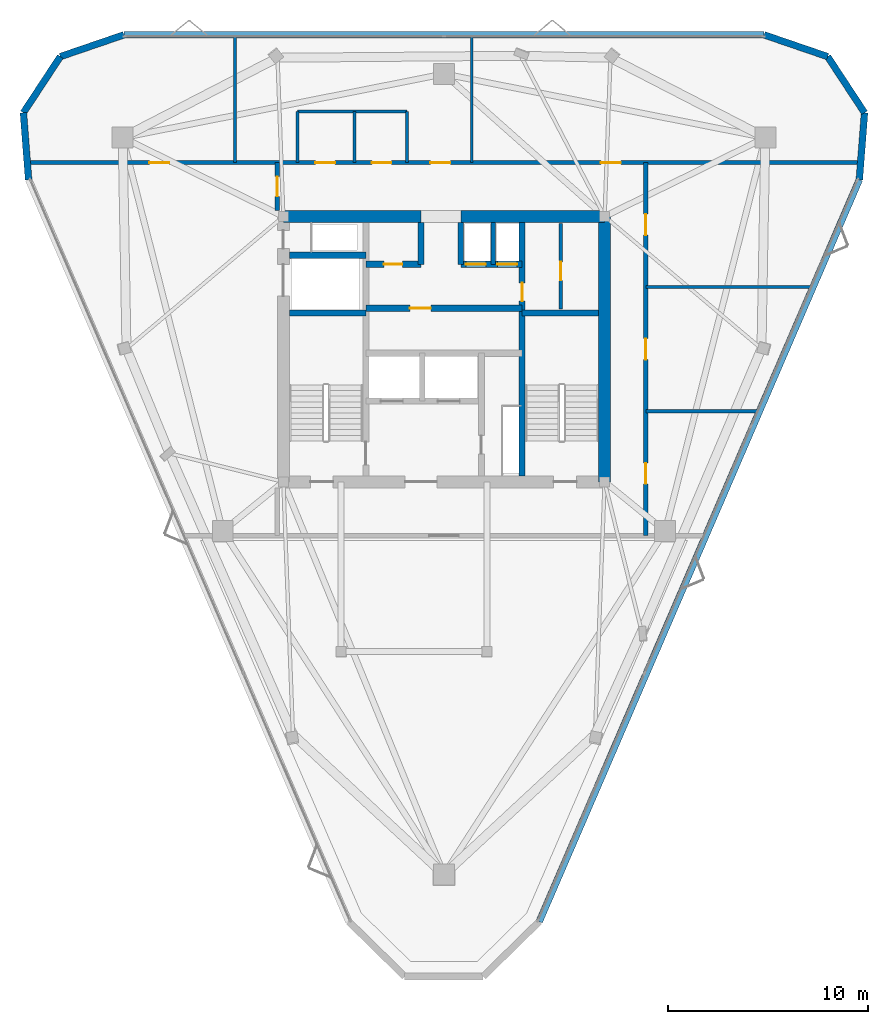
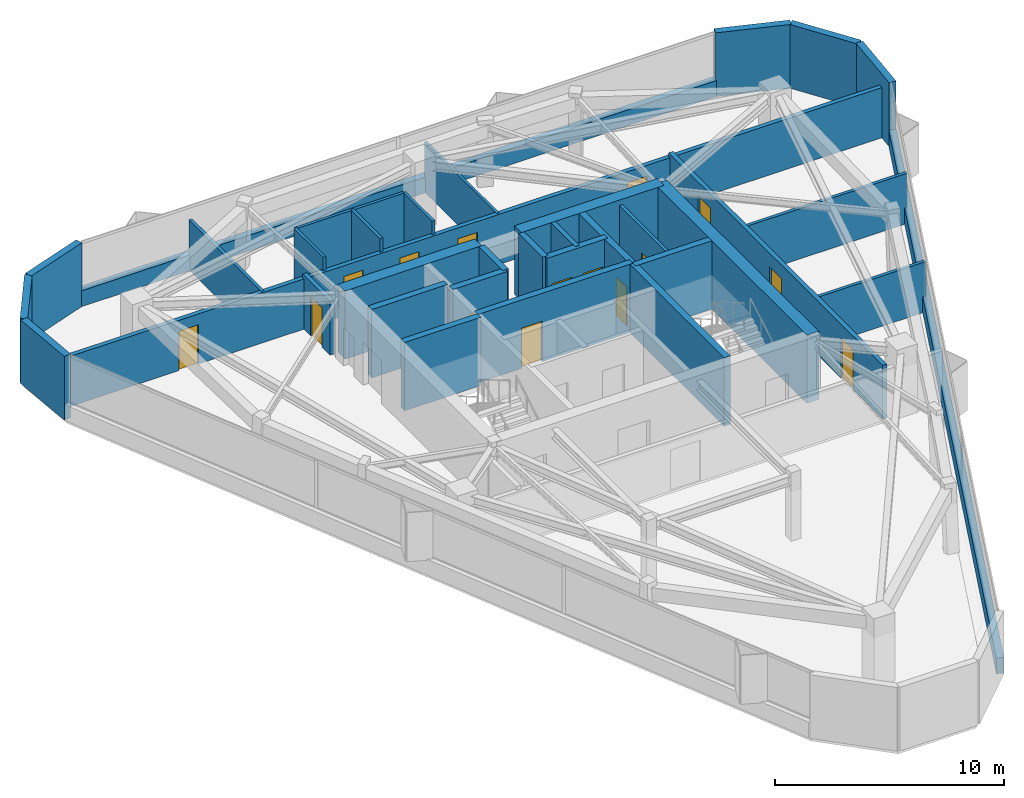
# One storey, part 7 of 9: 33 walls, 15 doors, 15 openings.
"""IFC4 building model written with IfcOpenShell, lengths in metres."""

import ifcopenshell
import ifcopenshell.guid

model = None  # the IFC model being written
_history = None  # IfcOwnerHistory: only IFC2X3 demands one
_inside = {}  # id of a spatial element -> (the spatial element, [elements in it])
_under = {}  # id of a project, library or spatial element -> (it, [spatial elements below it])
_declared = {}  # id of a project -> (the project, [libraries it declares])
_typed = {}  # id of a type object -> (the type object, [elements of that type])
_made_of = {}  # id of a material, layer set ... -> (it, [elements and type objects made of it])


def new_model(schema):
    """Start an empty IFC model of exactly this schema.

    Asked for "IFC4X3", IfcOpenShell would pick the latest addendum, in which some entities
    have other attributes; the version numbers below select the first issue.
    IFC2X3 requires an IfcOwnerHistory on every rooted entity: one is made here for all.
    """
    global model, _history
    if schema == "IFC4X3":
        model = ifcopenshell.file(schema_version=(4, 3, 0, 0))
    else:
        model = ifcopenshell.file(schema=schema)
    _inside.clear()
    _under.clear()
    _declared.clear()
    _typed.clear()
    _made_of.clear()
    _history = None
    if model.schema == "IFC2X3":
        org = make("IfcOrganization", Name="unknown")
        user = make(
            "IfcPersonAndOrganization",
            ThePerson=make("IfcPerson", FamilyName="unknown"),
            TheOrganization=org,
        )
        app = make(
            "IfcApplication",
            ApplicationDeveloper=org,
            Version="unknown",
            ApplicationFullName="unknown",
            ApplicationIdentifier="unknown",
        )
        _history = make(
            "IfcOwnerHistory",
            OwningUser=user,
            OwningApplication=app,
            ChangeAction="ADDED",
            CreationDate=0,
        )
    return model


def make(cls, **values):
    """One entity of the class cls with the attributes given. An attribute that is None is left unset."""
    return model.create_entity(
        cls, **{name: value for name, value in values.items() if value is not None}
    )


def rooted(cls, **values):
    """An entity with a GlobalId (a new one), such as an element, a storey or a relation."""
    return make(cls, GlobalId=ifcopenshell.guid.new(), OwnerHistory=_history, **values)


def si_unit(unit_type, name, prefix=None):
    """IfcSIUnit, for example si_unit("LENGTHUNIT", "METRE", prefix="MILLI")."""
    return make("IfcSIUnit", UnitType=unit_type, Prefix=prefix, Name=name)


def assignment(units):
    """IfcUnitAssignment: the units of a project."""
    return None if units is None else make("IfcUnitAssignment", Units=units)


def point(xyz):
    """IfcCartesianPoint."""
    return None if xyz is None else make("IfcCartesianPoint", Coordinates=xyz)


def direction(xyz):
    """IfcDirection."""
    return None if xyz is None else make("IfcDirection", DirectionRatios=xyz)


def frame(location, z_axis=None, x_axis=None):
    """IfcAxis2Placement3D, a coordinate frame: its origin and axes. An axis left out is left unset."""
    return make(
        "IfcAxis2Placement3D",
        Location=point(location),
        Axis=direction(z_axis),
        RefDirection=direction(x_axis),
    )


def frame_2d(location, x_axis=None):
    """IfcAxis2Placement2D, a coordinate frame in the plane: its origin and x axis."""
    return make(
        "IfcAxis2Placement2D", Location=point(location), RefDirection=direction(x_axis)
    )


def origin():
    """The frame at (0, 0, 0) with its axes left unset."""
    return frame((0.0, 0.0, 0.0))


def place(relative_to, where):
    """IfcLocalPlacement: puts the frame where relative to a parent placement (None: the world)."""
    return make(
        "IfcLocalPlacement", PlacementRelTo=relative_to, RelativePlacement=where
    )


def context(
    kind, dimensions, precision=None, world=None, true_north=None, identifier=None
):
    """IfcGeometricRepresentationContext, for example the 3D "Model" context."""
    return make(
        "IfcGeometricRepresentationContext",
        ContextIdentifier=identifier,
        ContextType=kind,
        CoordinateSpaceDimension=dimensions,
        Precision=precision,
        WorldCoordinateSystem=world,
        TrueNorth=true_north,
    )


def subcontext(parent, identifier, kind, view, scale=None):
    """IfcGeometricRepresentationSubContext, for example "Body" below "Model"."""
    return make(
        "IfcGeometricRepresentationSubContext",
        ContextIdentifier=identifier,
        ContextType=kind,
        ParentContext=parent,
        TargetScale=scale,
        TargetView=view,
    )


def project(units=None, contexts=None):
    """IfcProject with its units and contexts."""
    return rooted(
        "IfcProject",
        Name="project",
        RepresentationContexts=contexts,
        UnitsInContext=assignment(units),
    )


def spatial(cls, under=None, at=None, **own):
    """A site, building, storey or space (cls), placed at a placement, below another one or the project."""
    s = rooted(cls, ObjectPlacement=at, **own)
    if under is not None:
        _under.setdefault(under.id(), (under, []))[1].append(s)
    return s


def profile(cls, at=None, kind="AREA", **sizes):
    """A parametric profile (cls). Its sizes go by their IFC names, for example OverallWidth=200.0."""
    return make(cls, ProfileType=kind, Position=at, **sizes)


def rectangle(**sizes):
    """IfcRectangleProfileDef."""
    return profile("IfcRectangleProfileDef", **sizes)


def extrude(swept, where, along, depth):
    """IfcExtrudedAreaSolid: the profile swept, set in the frame where, extruded along a direction by depth."""
    return make(
        "IfcExtrudedAreaSolid",
        SweptArea=swept,
        Position=where,
        ExtrudedDirection=direction(along),
        Depth=depth,
    )


def shape(context_of_items, identifier, shape_type, items):
    """IfcShapeRepresentation: the items that make up one representation, for example the "Body"."""
    return make(
        "IfcShapeRepresentation",
        ContextOfItems=context_of_items,
        RepresentationIdentifier=identifier,
        RepresentationType=shape_type,
        Items=items,
    )


def material(Name=None, Category=None):
    """IfcMaterial."""
    return make("IfcMaterial", Name=Name, Category=Category)


def layer(
    of_material, thickness, ventilated=None, Name=None, Category=None, Priority=None
):
    """IfcMaterialLayer: one layer of a wall or slab, of a material (None: an air gap)."""
    return make(
        "IfcMaterialLayer",
        Material=of_material,
        LayerThickness=thickness,
        IsVentilated=ventilated,
        Name=Name,
        Category=Category,
        Priority=Priority,
    )


def layer_set(layers, Name=None):
    """IfcMaterialLayerSet."""
    return make("IfcMaterialLayerSet", MaterialLayers=layers, LayerSetName=Name)


def made_of(thing, what):
    """Note that an element or type object is made of a material, layer set ...; save() writes the relation."""
    if what is not None:
        _made_of.setdefault(what.id(), (what, []))[1].append(thing)
    return thing


def type_object(cls, material=None, **own):
    """A type object (cls), such as IfcWallType, which elements share."""
    return made_of(rooted(cls, **own), material)


def element(
    cls,
    number,
    at=None,
    inside=None,
    cuts=None,
    type_object=None,
    material=None,
    context=None,
    identifier="Body",
    shape_type=None,
    held_by="IfcProductDefinitionShape",
    body=None,
    shapes=None,
    **own,
):
    """One element of the class cls, such as IfcWall. Its Tag is "e" and its number.

    at: its placement. inside: the storey or other place that contains it. cuts: it is an
    opening in that element (IfcRelVoidsElement). A single representation is given by context,
    identifier, shape_type and body (its items); several are given by shapes. held_by: the class
    of the entity that holds the representations. save() writes the other relations.
    """
    e = rooted(cls, Tag="e%d" % number, ObjectPlacement=at, **own)
    if body is not None:
        shapes = [shape(context, identifier, shape_type, body)]
    if shapes is not None:
        e.Representation = make(held_by, Representations=shapes)
    if inside is not None:
        _inside.setdefault(inside.id(), (inside, []))[1].append(e)
    if cuts is not None:
        rooted(
            "IfcRelVoidsElement", RelatingBuildingElement=cuts, RelatedOpeningElement=e
        )
    if type_object is not None:
        _typed.setdefault(type_object.id(), (type_object, []))[1].append(e)
    return made_of(e, material)


def fill(opening, filler):
    """IfcRelFillsElement: the door or window that sits in an opening."""
    return rooted(
        "IfcRelFillsElement",
        RelatingOpeningElement=opening,
        RelatedBuildingElement=filler,
    )


def aggregate(whole, parts):
    """IfcRelAggregates: a whole, such as a stair, and the parts it consists of."""
    return rooted("IfcRelAggregates", RelatingObject=whole, RelatedObjects=parts)


def save(model, path):
    """Write the relations noted so far, then the file.

    IfcRelAggregates (storeys below a building ...), IfcRelContainedInSpatialStructure (elements
    in a storey), IfcRelDefinesByType, IfcRelAssociatesMaterial and IfcRelDeclares: one each for
    every whole, place, type object, material and project.
    """
    for whole, parts in _under.values():
        aggregate(whole, parts)
    for where, things in _inside.values():
        rooted(
            "IfcRelContainedInSpatialStructure",
            RelatedElements=things,
            RelatingStructure=where,
        )
    for kind, things in _typed.values():
        rooted("IfcRelDefinesByType", RelatedObjects=things, RelatingType=kind)
    for what, things in _made_of.values():
        rooted("IfcRelAssociatesMaterial", RelatedObjects=things, RelatingMaterial=what)
    for by, libraries in _declared.values():
        rooted("IfcRelDeclares", RelatingContext=by, RelatedDefinitions=libraries)
    model.write(path)


model = new_model("IFC4")

# Units and contexts
model_context = context("Model", 3, precision=1e-05, world=origin(), true_north=direction((0.0, 1.0)))
body_context = subcontext(model_context, "Body", "Model", "MODEL_VIEW")
ifc_project = project(units=[si_unit("LENGTHUNIT", "METRE"), si_unit("AREAUNIT", "SQUARE_METRE"), si_unit("VOLUMEUNIT", "CUBIC_METRE"), si_unit("PLANEANGLEUNIT", "RADIAN"), si_unit("MASSUNIT", "GRAM", prefix="KILO")], contexts=[model_context])

# Site, building, storey
site_placement = place(None, origin())
site = spatial("IfcSite", under=ifc_project, at=site_placement, CompositionType="ELEMENT")
building_placement = place(site_placement, origin())
building = spatial("IfcBuilding", under=site, at=building_placement, Name="Talyreon Biosciences Tower", CompositionType="ELEMENT")
storey_placement = place(building_placement, frame((0.0, 0.0, 291.10009765625)))
storey = spatial("IfcBuildingStorey", under=building, at=storey_placement, Name="L77", CompositionType="ELEMENT", Elevation=291.10009765625)

# Walls
ifc_material_1 = material(Name="Concrete C50/60", Category="concrete")
ifc_layer_1 = layer(ifc_material_1, 0.219970703125)
ifc_layer_set_1 = layer_set([ifc_layer_1], Name="Concrete C50/60")
wall_type_1 = type_object("IfcWallType", Name="CoreShearWall_220", PredefinedType="SHEAR", material=ifc_layer_set_1)
wall_1_placement = place(storey_placement, frame((68.4599609375, 72.25, 0.0), z_axis=(0.0, 0.0, 1.0), x_axis=(0.0, 1.0, 0.0)))
element("IfcWall", 1, at=wall_1_placement, inside=storey, type_object=wall_type_1, Name="L77 Core Shaft Wall SWPHD", PredefinedType="SHEAR", context=body_context, shape_type="SweptSolid", body=[
    extrude(rectangle(XDim=2.10009765625, YDim=0.219970703125, at=frame_2d((1.050048828125, 0.0))), origin(), (0.0, 0.0, 1.0), 3.64990234375),
])
ifc_layer_2 = layer(ifc_material_1, 0.280029296875)
ifc_layer_set_2 = layer_set([ifc_layer_2], Name="Concrete C50/60")
wall_type_2 = type_object("IfcWallType", Name="CoreShearWall_280", PredefinedType="SHEAR", material=ifc_layer_set_2)
for number, where, z_axis, x_axis, name in (
    (2, (64.85009765625, 72.25, 0.0), (0.0, 0.0, 1.0), (0.0, 1.0, 0.0), "L77 Core Shaft Wall SWTHW"),
    (3, (66.85009765625, 72.25, 0.0), (0.0, 0.0, 1.0), (0.0, 1.0, 0.0), "L77 Core Shaft Wall SWTHE"),
):
    element("IfcWall", number, at=place(storey_placement, frame(where, z_axis=z_axis, x_axis=x_axis)), inside=storey, type_object=wall_type_2, Name=name, PredefinedType="SHEAR", context=body_context, shape_type="SweptSolid", body=[
        extrude(rectangle(XDim=2.10009765625, YDim=0.280029296875, at=frame_2d((1.050048828125, 0.0))), origin(), (0.0, 0.0, 1.0), 3.64990234375),
    ])

# Wall, opening, door
ifc_layer_3 = layer(ifc_material_1, 0.320068359375)
ifc_layer_set_3 = layer_set([ifc_layer_3], Name="Concrete C50/60")
wall_type_3 = type_object("IfcWallType", Name="CoreShearWall_320", PredefinedType="SHEAR", material=ifc_layer_set_3)
wall_2_placement = place(storey_placement, frame((69.909912109375, 61.64990234375, 0.0), z_axis=(0.0, 0.0, 1.0), x_axis=(0.0, 1.0, 0.0)))
wall_2 = element("IfcWall", 4, at=wall_2_placement, inside=storey, type_object=wall_type_3, Name="L77 Core Shaft Wall SW2W", PredefinedType="SHEAR", context=body_context, shape_type="SweptSolid", body=[
    extrude(rectangle(XDim=12.7001953125, YDim=0.320068359375, at=frame_2d((6.35009765625, 0.0))), origin(), (0.0, 0.0, 1.0), 3.64990234375),
])
opening_1_placement = place(wall_2_placement, frame((8.75, 0.0, 0.0)))
opening_1 = element("IfcOpeningElement", 5, at=opening_1_placement, cuts=wall_2, Name="Opening DR-L77-CSRV", PredefinedType="OPENING", context=body_context, shape_type="SweptSolid", body=[
    extrude(rectangle(XDim=0.919921875, YDim=2.050048828125, at=frame_2d((0.4599609375, 1.02490234375))), frame((0.0, 0.169921875, 0.0), z_axis=(0.0, -1.0, 0.0), x_axis=(1.0, 0.0, 0.0)), (0.0, 0.0, 1.0), 0.340087890625),
])
ifc_material_2 = material(Name="Painted steel fire-rated riser door", Category="steel")
door_type_1 = type_object("IfcDoorType", Name="RiserPlantAccessDoor_920x2050", OperationType="NOTDEFINED", PredefinedType="DOOR", material=ifc_material_2)
door_1_placement = place(opening_1_placement, origin())
door_1 = element("IfcDoor", 6, at=door_1_placement, inside=storey, type_object=door_type_1, Name="L77 Core Door DR-L77-CSRV", OperationType="SINGLE_SWING_RIGHT", OverallHeight=2.050048828125, OverallWidth=0.919921875, PredefinedType="DOOR", context=body_context, shape_type="SweptSolid", body=[
    extrude(rectangle(XDim=0.919921875, YDim=2.050048828125, at=frame_2d((0.4599609375, 1.02490234375))), frame((0.0, 0.02490234375, 0.0), z_axis=(0.0, -1.0, 0.0), x_axis=(1.0, 0.0, 0.0)), (0.0, 0.0, 1.0), 0.050048828125),
])
fill(opening_1, door_1)

# Walls
for number, where, z_axis, x_axis, name in (
    (7, (58.25, 69.81005859375, 0.0), (0.0, 0.0, 1.0), (1.0, 0.0, 0.0), "L77 Core Shaft Wall SW1N"),
    (8, (69.909912109375, 69.81005859375, 0.0), (0.0, 0.0, 1.0), (1.0, 0.0, 0.0), "L77 Core Shaft Wall SW2N"),
    (9, (58.25, 72.699951171875, 0.0), (0.0, 0.0, 1.0), (1.0, 0.0, 0.0), "L77 Core Shaft Wall SWGLN"),
):
    element("IfcWall", number, at=place(storey_placement, frame(where, z_axis=z_axis, x_axis=x_axis)), inside=storey, type_object=wall_type_3, Name=name, PredefinedType="SHEAR", context=body_context, shape_type="SweptSolid", body=[
        extrude(rectangle(XDim=3.840087890625, YDim=0.320068359375, at=frame_2d((1.919921875, 0.0))), origin(), (0.0, 0.0, 1.0), 3.64990234375),
    ])

# Wall, opening, door
wall_3_placement = place(storey_placement, frame((62.090087890625, 70.050048828125, 0.0), z_axis=(0.0, 0.0, 1.0), x_axis=(1.0, 0.0, 0.0)))
wall_3 = element("IfcWall", 10, at=wall_3_placement, inside=storey, type_object=wall_type_3, Name="L77 Core Shaft Wall SWSPN", PredefinedType="SHEAR", context=body_context, shape_type="SweptSolid", body=[
    extrude(rectangle(XDim=7.81982421875, YDim=0.320068359375, at=frame_2d((3.909912109375, 0.0))), origin(), (0.0, 0.0, 1.0), 3.64990234375),
])
opening_2_placement = place(wall_3_placement, frame((2.199951171875, 0.0, 0.0)))
opening_2 = element("IfcOpeningElement", 11, at=opening_2_placement, cuts=wall_3, Name="Opening DR-L77-PLPMFREE", PredefinedType="OPENING", context=body_context, shape_type="SweptSolid", body=[
    extrude(rectangle(XDim=1.050048828125, YDim=2.14990234375, at=frame_2d((0.52490234375, 1.074951171875))), frame((0.0, 0.169921875, 0.0), z_axis=(0.0, -1.0, 0.0), x_axis=(1.0, 0.0, 0.0)), (0.0, 0.0, 1.0), 0.340087890625),
])
ifc_material_3 = material(Name="Acoustic timber-core laboratory door", Category="wood")
door_type_2 = type_object("IfcDoorType", Name="DryLabSingleDoor_1050x2150", OperationType="NOTDEFINED", PredefinedType="DOOR", material=ifc_material_3)
door_2_placement = place(opening_2_placement, origin())
door_2 = element("IfcDoor", 12, at=door_2_placement, inside=storey, type_object=door_type_2, Name="L77 Core Door DR-L77-PLPMFREE", OperationType="SINGLE_SWING_LEFT", OverallHeight=2.14990234375, OverallWidth=1.050048828125, PredefinedType="DOOR", context=body_context, shape_type="SweptSolid", body=[
    extrude(rectangle(XDim=1.050048828125, YDim=2.14990234375, at=frame_2d((0.52490234375, 1.074951171875))), frame((0.0, 0.02490234375, 0.0), z_axis=(0.0, -1.0, 0.0), x_axis=(1.0, 0.0, 0.0)), (0.0, 0.0, 1.0), 0.050048828125),
])
fill(opening_2, door_2)

wall_4_placement = place(storey_placement, frame((62.090087890625, 72.25, 0.0), z_axis=(0.0, 0.0, 1.0), x_axis=(1.0, 0.0, 0.0)))
wall_4 = element("IfcWall", 13, at=wall_4_placement, inside=storey, type_object=wall_type_3, Name="L77 Core Shaft Wall SWNPW", PredefinedType="SHEAR", context=body_context, shape_type="SweptSolid", body=[
    extrude(rectangle(XDim=2.760009765625, YDim=0.320068359375, at=frame_2d((1.3798828125, 0.0))), origin(), (0.0, 0.0, 1.0), 3.64990234375),
])
opening_3_placement = place(wall_4_placement, frame((0.89990234375, 0.0, 0.0)))
opening_3 = element("IfcOpeningElement", 14, at=opening_3_placement, cuts=wall_4, Name="Opening DR-L77-PM2FREE", PredefinedType="OPENING", context=body_context, shape_type="SweptSolid", body=[
    extrude(rectangle(XDim=0.919921875, YDim=2.050048828125, at=frame_2d((0.4599609375, 1.02490234375))), frame((0.0, 0.169921875, 0.0), z_axis=(0.0, -1.0, 0.0), x_axis=(1.0, 0.0, 0.0)), (0.0, 0.0, 1.0), 0.340087890625),
])
door_3_placement = place(opening_3_placement, origin())
door_3 = element("IfcDoor", 15, at=door_3_placement, inside=storey, type_object=door_type_1, Name="L77 Core Door DR-L77-PM2FREE", OperationType="SINGLE_SWING_RIGHT", OverallHeight=2.050048828125, OverallWidth=0.919921875, PredefinedType="DOOR", context=body_context, shape_type="SweptSolid", body=[
    extrude(rectangle(XDim=0.919921875, YDim=2.050048828125, at=frame_2d((0.4599609375, 1.02490234375))), frame((0.0, 0.02490234375, 0.0), z_axis=(0.0, -1.0, 0.0), x_axis=(1.0, 0.0, 0.0)), (0.0, 0.0, 1.0), 0.050048828125),
])
fill(opening_3, door_3)

# Wall, openings, doors
wall_5_placement = place(storey_placement, frame((66.85009765625, 72.25, 0.0), z_axis=(0.0, 0.0, 1.0), x_axis=(1.0, 0.0, 0.0)))
wall_5 = element("IfcWall", 16, at=wall_5_placement, inside=storey, type_object=wall_type_3, Name="L77 Core Shaft Wall SWNPE", PredefinedType="SHEAR", context=body_context, shape_type="SweptSolid", body=[
    extrude(rectangle(XDim=3.059814453125, YDim=0.320068359375, at=frame_2d((1.52978515625, 0.0))), origin(), (0.0, 0.0, 1.0), 3.64990234375),
])
opening_4_placement = place(wall_5_placement, frame((0.25, 0.0, 0.0)))
opening_4 = element("IfcOpeningElement", 17, at=opening_4_placement, cuts=wall_5, Name="Opening LD-L77-PH1", PredefinedType="OPENING", context=body_context, shape_type="SweptSolid", body=[
    extrude(rectangle(XDim=1.0, YDim=2.199951171875, at=frame_2d((0.5, 1.10009765625))), frame((0.0, 0.169921875, 0.0), z_axis=(0.0, -1.0, 0.0), x_axis=(1.0, 0.0, 0.0)), (0.0, 0.0, 1.0), 0.340087890625),
])
opening_5_placement = place(wall_5_placement, frame((1.820068359375, 0.0, 0.0)))
opening_5 = element("IfcOpeningElement", 18, at=opening_5_placement, cuts=wall_5, Name="Opening LD-L77-PH2", PredefinedType="OPENING", context=body_context, shape_type="SweptSolid", body=[
    extrude(rectangle(XDim=1.0, YDim=2.199951171875, at=frame_2d((0.5, 1.10009765625))), frame((0.0, 0.169921875, 0.0), z_axis=(0.0, -1.0, 0.0), x_axis=(1.0, 0.0, 0.0)), (0.0, 0.0, 1.0), 0.340087890625),
])
ifc_material_4 = material(Name="Brushed stainless-steel lift landing door", Category="steel")
door_type_3 = type_object("IfcDoorType", Name="LiftSlidingLandingDoor_1100x2200", OperationType="SLIDING_TO_LEFT", PredefinedType="DOOR", material=ifc_material_4)
door_4_placement = place(opening_4_placement, origin())
door_4 = element("IfcDoor", 19, at=door_4_placement, inside=storey, type_object=door_type_3, Name="L77 Core Door LD-L77-PH1", OperationType="SLIDING_TO_LEFT", OverallHeight=2.199951171875, OverallWidth=1.0, PredefinedType="DOOR", context=body_context, shape_type="SweptSolid", body=[
    extrude(rectangle(XDim=1.0, YDim=2.199951171875, at=frame_2d((0.5, 1.10009765625))), frame((0.0, 0.02490234375, 0.0), z_axis=(0.0, -1.0, 0.0), x_axis=(1.0, 0.0, 0.0)), (0.0, 0.0, 1.0), 0.050048828125),
])
fill(opening_4, door_4)
door_5_placement = place(opening_5_placement, origin())
door_5 = element("IfcDoor", 20, at=door_5_placement, inside=storey, type_object=door_type_3, Name="L77 Core Door LD-L77-PH2", OperationType="SLIDING_TO_LEFT", OverallHeight=2.199951171875, OverallWidth=1.0, PredefinedType="DOOR", context=body_context, shape_type="SweptSolid", body=[
    extrude(rectangle(XDim=1.0, YDim=2.199951171875, at=frame_2d((0.5, 1.10009765625))), frame((0.0, 0.02490234375, 0.0), z_axis=(0.0, -1.0, 0.0), x_axis=(1.0, 0.0, 0.0)), (0.0, 0.0, 1.0), 0.050048828125),
])
fill(opening_5, door_5)

# Walls
ifc_layer_4 = layer(ifc_material_1, 0.60009765625)
ifc_layer_set_4 = layer_set([ifc_layer_4], Name="Concrete C50/60")
wall_type_4 = type_object("IfcWallType", Name="CoreShearWall_600", PredefinedType="SHEAR", material=ifc_layer_set_4)
wall_6_placement = place(storey_placement, frame((74.050048828125, 61.35009765625, 0.0), z_axis=(0.0, 0.0, 1.0), x_axis=(0.0, 1.0, 0.0)))
element("IfcWall", 21, at=wall_6_placement, inside=storey, type_object=wall_type_4, Name="L77 Core Shear Wall E", PredefinedType="SHEAR", context=body_context, shape_type="SweptSolid", body=[
    extrude(rectangle(XDim=13.2998046875, YDim=0.60009765625, at=frame_2d((6.64990234375, 0.0))), origin(), (0.0, 0.0, 1.0), 3.64990234375),
])
wall_7_placement = place(storey_placement, frame((74.050048828125, 74.64990234375, 0.0), z_axis=(0.0, 0.0, 1.0), x_axis=(-1.0, 0.0, 0.0)))
element("IfcWall", 22, at=wall_7_placement, inside=storey, type_object=wall_type_4, Name="L77 Core Shear Wall NE", PredefinedType="SHEAR", context=body_context, shape_type="SweptSolid", body=[
    extrude(rectangle(XDim=7.199951171875, YDim=0.60009765625, at=frame_2d((3.60009765625, 0.0))), origin(), (0.0, 0.0, 1.0), 3.64990234375),
])
wall_8_placement = place(storey_placement, frame((64.85009765625, 74.64990234375, 0.0), z_axis=(0.0, 0.0, 1.0), x_axis=(-1.0, 0.0, 0.0)))
element("IfcWall", 23, at=wall_8_placement, inside=storey, type_object=wall_type_4, Name="L77 Core Shear Wall NW", PredefinedType="SHEAR", context=body_context, shape_type="SweptSolid", body=[
    extrude(rectangle(XDim=6.900146484375, YDim=0.60009765625, at=frame_2d((3.4501953125, 0.0))), origin(), (0.0, 0.0, 1.0), 3.64990234375),
])

# Wall, openings, doors
ifc_material_5 = material(Name="Gypsum fireboard acoustic stud", Category="gypsum")
ifc_layer_5 = layer(ifc_material_5, 0.219970703125)
ifc_layer_set_5 = layer_set([ifc_layer_5], Name="Gypsum fireboard acoustic stud")
wall_type_5 = type_object("IfcWallType", Name="CorridorRatedPartition_220", PredefinedType="PARTITIONING", material=ifc_layer_set_5)
wall_9_placement = place(storey_placement, frame((45.201416015625, 77.35009765625, 0.0), z_axis=(0.0, 0.0, 1.0), x_axis=(1.0, 0.0, 0.0)))
wall_9 = element("IfcWall", 24, at=wall_9_placement, inside=storey, type_object=wall_type_5, Name="L77 Interior Wall IW-L77-COR-N", PredefinedType="PARTITIONING", context=body_context, shape_type="SweptSolid", body=[
    extrude(rectangle(XDim=41.59716796875, YDim=0.219970703125, at=frame_2d((20.798583984375, 0.0))), origin(), (0.0, 0.0, 1.0), 2.679931640625),
])
opening_6_placement = place(wall_9_placement, frame((14.35791015625, 0.0, 0.0)))
opening_6 = element("IfcOpeningElement", 25, at=opening_6_placement, cuts=wall_9, Name="Opening DR-L77-WC", PredefinedType="OPENING", context=body_context, shape_type="SweptSolid", body=[
    extrude(rectangle(XDim=0.97998046875, YDim=2.10009765625, at=frame_2d((0.489990234375, 1.050048828125))), frame((0.0, 0.119873046875, 0.0), z_axis=(0.0, -1.0, 0.0), x_axis=(1.0, 0.0, 0.0)), (0.0, 0.0, 1.0), 0.239990234375),
])
opening_7_placement = place(wall_9_placement, frame((17.18408203125, 0.0, 0.0)))
opening_7 = element("IfcOpeningElement", 26, at=opening_7_placement, cuts=wall_9, Name="Opening DR-L77-AWC", PredefinedType="OPENING", context=body_context, shape_type="SweptSolid", body=[
    extrude(rectangle(XDim=0.97998046875, YDim=2.10009765625, at=frame_2d((0.489990234375, 1.050048828125))), frame((0.0, 0.119873046875, 0.0), z_axis=(0.0, -1.0, 0.0), x_axis=(1.0, 0.0, 0.0)), (0.0, 0.0, 1.0), 0.239990234375),
])
opening_8_placement = place(wall_9_placement, frame((6.037109375, 0.0, 0.0)))
opening_8 = element("IfcOpeningElement", 27, at=opening_8_placement, cuts=wall_9, Name="Opening DR-L77-N1A", PredefinedType="OPENING", context=body_context, shape_type="SweptSolid", body=[
    extrude(rectangle(XDim=1.0, YDim=2.10009765625, at=frame_2d((0.5, 1.050048828125))), frame((0.0, 0.119873046875, 0.0), z_axis=(0.0, -1.0, 0.0), x_axis=(1.0, 0.0, 0.0)), (0.0, 0.0, 1.0), 0.239990234375),
])
opening_9_placement = place(wall_9_placement, frame((20.114013671875, 0.0, 0.0)))
opening_9 = element("IfcOpeningElement", 28, at=opening_9_placement, cuts=wall_9, Name="Opening DR-L77-N2A", PredefinedType="OPENING", context=body_context, shape_type="SweptSolid", body=[
    extrude(rectangle(XDim=1.0, YDim=2.10009765625, at=frame_2d((0.5, 1.050048828125))), frame((0.0, 0.119873046875, 0.0), z_axis=(0.0, -1.0, 0.0), x_axis=(1.0, 0.0, 0.0)), (0.0, 0.0, 1.0), 0.239990234375),
])
opening_10_placement = place(wall_9_placement, frame((28.666015625, 0.0, 0.0)))
opening_10 = element("IfcOpeningElement", 29, at=opening_10_placement, cuts=wall_9, Name="Opening DR-L77-N3A", PredefinedType="OPENING", context=body_context, shape_type="SweptSolid", body=[
    extrude(rectangle(XDim=1.0, YDim=2.10009765625, at=frame_2d((0.5, 1.050048828125))), frame((0.0, 0.119873046875, 0.0), z_axis=(0.0, -1.0, 0.0), x_axis=(1.0, 0.0, 0.0)), (0.0, 0.0, 1.0), 0.239990234375),
])
ifc_material_6 = material(Name="Laminate moisture-resistant door", Category="wood")
door_type_4 = type_object("IfcDoorType", Name="AccessibleToiletDoor_980x2100", OperationType="NOTDEFINED", PredefinedType="DOOR", material=ifc_material_6)
door_6_placement = place(opening_6_placement, origin())
door_6 = element("IfcDoor", 30, at=door_6_placement, inside=storey, type_object=door_type_4, Name="L77 Interior Door DR-L77-WC", OperationType="SINGLE_SWING_LEFT", OverallHeight=2.10009765625, OverallWidth=0.97998046875, PredefinedType="DOOR", context=body_context, shape_type="SweptSolid", body=[
    extrude(rectangle(XDim=0.97998046875, YDim=2.10009765625, at=frame_2d((0.489990234375, 1.050048828125))), frame((0.0, 0.02490234375, 0.0), z_axis=(0.0, -1.0, 0.0), x_axis=(1.0, 0.0, 0.0)), (0.0, 0.0, 1.0), 0.050048828125),
])
fill(opening_6, door_6)
door_7_placement = place(opening_7_placement, origin())
door_7 = element("IfcDoor", 31, at=door_7_placement, inside=storey, type_object=door_type_4, Name="L77 Interior Door DR-L77-AWC", OperationType="SINGLE_SWING_LEFT", OverallHeight=2.10009765625, OverallWidth=0.97998046875, PredefinedType="DOOR", context=body_context, shape_type="SweptSolid", body=[
    extrude(rectangle(XDim=0.97998046875, YDim=2.10009765625, at=frame_2d((0.489990234375, 1.050048828125))), frame((0.0, 0.02490234375, 0.0), z_axis=(0.0, -1.0, 0.0), x_axis=(1.0, 0.0, 0.0)), (0.0, 0.0, 1.0), 0.050048828125),
])
fill(opening_7, door_7)
ifc_material_7 = material(Name="Acoustic oak veneer office door", Category="wood")
door_type_5 = type_object("IfcDoorType", Name="WriteupOfficeDoor_1000x2100", OperationType="NOTDEFINED", PredefinedType="DOOR", material=ifc_material_7)
door_8_placement = place(opening_8_placement, origin())
door_8 = element("IfcDoor", 32, at=door_8_placement, inside=storey, type_object=door_type_5, Name="L77 Interior Door DR-L77-N1A", OperationType="SINGLE_SWING_LEFT", OverallHeight=2.10009765625, OverallWidth=1.0, PredefinedType="DOOR", context=body_context, shape_type="SweptSolid", body=[
    extrude(rectangle(XDim=1.0, YDim=2.10009765625, at=frame_2d((0.5, 1.050048828125))), frame((0.0, 0.02490234375, 0.0), z_axis=(0.0, -1.0, 0.0), x_axis=(1.0, 0.0, 0.0)), (0.0, 0.0, 1.0), 0.050048828125),
])
fill(opening_8, door_8)
door_9_placement = place(opening_9_placement, origin())
door_9 = element("IfcDoor", 33, at=door_9_placement, inside=storey, type_object=door_type_5, Name="L77 Interior Door DR-L77-N2A", OperationType="SINGLE_SWING_RIGHT", OverallHeight=2.10009765625, OverallWidth=1.0, PredefinedType="DOOR", context=body_context, shape_type="SweptSolid", body=[
    extrude(rectangle(XDim=1.0, YDim=2.10009765625, at=frame_2d((0.5, 1.050048828125))), frame((0.0, 0.02490234375, 0.0), z_axis=(0.0, -1.0, 0.0), x_axis=(1.0, 0.0, 0.0)), (0.0, 0.0, 1.0), 0.050048828125),
])
fill(opening_9, door_9)
door_10_placement = place(opening_10_placement, origin())
door_10 = element("IfcDoor", 34, at=door_10_placement, inside=storey, type_object=door_type_5, Name="L77 Interior Door DR-L77-N3A", OperationType="SINGLE_SWING_RIGHT", OverallHeight=2.10009765625, OverallWidth=1.0, PredefinedType="DOOR", context=body_context, shape_type="SweptSolid", body=[
    extrude(rectangle(XDim=1.0, YDim=2.10009765625, at=frame_2d((0.5, 1.050048828125))), frame((0.0, 0.02490234375, 0.0), z_axis=(0.0, -1.0, 0.0), x_axis=(1.0, 0.0, 0.0)), (0.0, 0.0, 1.0), 0.050048828125),
])
fill(opening_10, door_10)

# Wall, opening, door
wall_10_placement = place(storey_placement, frame((57.64990234375, 74.949951171875, 0.0), z_axis=(0.0, 0.0, 1.0), x_axis=(0.0, 1.0, 0.0)))
wall_10 = element("IfcWall", 35, at=wall_10_placement, inside=storey, type_object=wall_type_5, Name="L77 Interior Wall IW-L77-WCAP-N", PredefinedType="PARTITIONING", context=body_context, shape_type="SweptSolid", body=[
    extrude(rectangle(XDim=2.400146484375, YDim=0.219970703125, at=frame_2d((1.2001953125, 0.0))), origin(), (0.0, 0.0, 1.0), 2.8798828125),
])
opening_11_placement = place(wall_10_placement, frame((0.699951171875, 0.0, 0.0)))
opening_11 = element("IfcOpeningElement", 36, at=opening_11_placement, cuts=wall_10, Name="Opening DR-L77-W1A", PredefinedType="OPENING", context=body_context, shape_type="SweptSolid", body=[
    extrude(rectangle(XDim=1.0, YDim=2.10009765625, at=frame_2d((0.5, 1.050048828125))), frame((0.0, 0.119873046875, 0.0), z_axis=(0.0, -1.0, 0.0), x_axis=(1.0, 0.0, 0.0)), (0.0, 0.0, 1.0), 0.239990234375),
])
door_11_placement = place(opening_11_placement, origin())
door_11 = element("IfcDoor", 37, at=door_11_placement, inside=storey, type_object=door_type_5, Name="L77 Interior Door DR-L77-W1A", OperationType="SINGLE_SWING_RIGHT", OverallHeight=2.10009765625, OverallWidth=1.0, PredefinedType="DOOR", context=body_context, shape_type="SweptSolid", body=[
    extrude(rectangle(XDim=1.0, YDim=2.10009765625, at=frame_2d((0.5, 1.050048828125))), frame((0.0, 0.02490234375, 0.0), z_axis=(0.0, -1.0, 0.0), x_axis=(1.0, 0.0, 0.0)), (0.0, 0.0, 1.0), 0.050048828125),
])
fill(opening_11, door_11)

# Wall, openings, doors
wall_11_placement = place(storey_placement, frame((76.1201171875, 58.64990234375, 0.0), z_axis=(0.0, 0.0, 1.0), x_axis=(0.0, 1.0, 0.0)))
wall_11 = element("IfcWall", 38, at=wall_11_placement, inside=storey, type_object=wall_type_5, Name="L77 Interior Wall IW-L77-COR-E", PredefinedType="PARTITIONING", context=body_context, shape_type="SweptSolid", body=[
    extrude(rectangle(XDim=18.7001953125, YDim=0.219970703125, at=frame_2d((9.35009765625, 0.0))), origin(), (0.0, 0.0, 1.0), 2.8798828125),
])
opening_12_placement = place(wall_11_placement, frame((2.591064453125, 0.0, 0.0)))
opening_12 = element("IfcOpeningElement", 39, at=opening_12_placement, cuts=wall_11, Name="Opening DR-L77-E1A", PredefinedType="OPENING", context=body_context, shape_type="SweptSolid", body=[
    extrude(rectangle(XDim=1.050048828125, YDim=2.14990234375, at=frame_2d((0.52490234375, 1.074951171875))), frame((0.0, 0.119873046875, 0.0), z_axis=(0.0, -1.0, 0.0), x_axis=(1.0, 0.0, 0.0)), (0.0, 0.0, 1.0), 0.239990234375),
])
opening_13_placement = place(wall_11_placement, frame((8.824951171875, 0.0, 0.0)))
opening_13 = element("IfcOpeningElement", 40, at=opening_13_placement, cuts=wall_11, Name="Opening DR-L77-E2A", PredefinedType="OPENING", context=body_context, shape_type="SweptSolid", body=[
    extrude(rectangle(XDim=1.050048828125, YDim=2.14990234375, at=frame_2d((0.52490234375, 1.074951171875))), frame((0.0, 0.119873046875, 0.0), z_axis=(0.0, -1.0, 0.0), x_axis=(1.0, 0.0, 0.0)), (0.0, 0.0, 1.0), 0.239990234375),
])
opening_14_placement = place(wall_11_placement, frame((15.05908203125, 0.0, 0.0)))
opening_14 = element("IfcOpeningElement", 41, at=opening_14_placement, cuts=wall_11, Name="Opening DR-L77-E3A", PredefinedType="OPENING", context=body_context, shape_type="SweptSolid", body=[
    extrude(rectangle(XDim=1.050048828125, YDim=2.14990234375, at=frame_2d((0.52490234375, 1.074951171875))), frame((0.0, 0.119873046875, 0.0), z_axis=(0.0, -1.0, 0.0), x_axis=(1.0, 0.0, 0.0)), (0.0, 0.0, 1.0), 0.239990234375),
])
door_12_placement = place(opening_12_placement, origin())
door_12 = element("IfcDoor", 42, at=door_12_placement, inside=storey, type_object=door_type_2, Name="L77 Interior Door DR-L77-E1A", OperationType="SINGLE_SWING_LEFT", OverallHeight=2.14990234375, OverallWidth=1.050048828125, PredefinedType="DOOR", context=body_context, shape_type="SweptSolid", body=[
    extrude(rectangle(XDim=1.050048828125, YDim=2.14990234375, at=frame_2d((0.52490234375, 1.074951171875))), frame((0.0, 0.02490234375, 0.0), z_axis=(0.0, -1.0, 0.0), x_axis=(1.0, 0.0, 0.0)), (0.0, 0.0, 1.0), 0.050048828125),
])
fill(opening_12, door_12)
door_13_placement = place(opening_13_placement, origin())
door_13 = element("IfcDoor", 43, at=door_13_placement, inside=storey, type_object=door_type_2, Name="L77 Interior Door DR-L77-E2A", OperationType="SINGLE_SWING_RIGHT", OverallHeight=2.14990234375, OverallWidth=1.050048828125, PredefinedType="DOOR", context=body_context, shape_type="SweptSolid", body=[
    extrude(rectangle(XDim=1.050048828125, YDim=2.14990234375, at=frame_2d((0.52490234375, 1.074951171875))), frame((0.0, 0.02490234375, 0.0), z_axis=(0.0, -1.0, 0.0), x_axis=(1.0, 0.0, 0.0)), (0.0, 0.0, 1.0), 0.050048828125),
])
fill(opening_13, door_13)
door_14_placement = place(opening_14_placement, origin())
door_14 = element("IfcDoor", 44, at=door_14_placement, inside=storey, type_object=door_type_2, Name="L77 Interior Door DR-L77-E3A", OperationType="SINGLE_SWING_RIGHT", OverallHeight=2.14990234375, OverallWidth=1.050048828125, PredefinedType="DOOR", context=body_context, shape_type="SweptSolid", body=[
    extrude(rectangle(XDim=1.050048828125, YDim=2.14990234375, at=frame_2d((0.52490234375, 1.074951171875))), frame((0.0, 0.02490234375, 0.0), z_axis=(0.0, -1.0, 0.0), x_axis=(1.0, 0.0, 0.0)), (0.0, 0.0, 1.0), 0.050048828125),
])
fill(opening_14, door_14)

# Wall, opening, door
ifc_material_8 = material(Name="Gypsum acoustic stud partition", Category="gypsum")
ifc_layer_6 = layer(ifc_material_8, 0.159912109375)
ifc_layer_set_6 = layer_set([ifc_layer_6], Name="Gypsum acoustic stud partition")
wall_type_6 = type_object("IfcWallType", Name="LabSeparationPartition_160", PredefinedType="PARTITIONING", material=ifc_layer_set_6)
wall_12_placement = place(storey_placement, frame((71.85009765625, 70.0, 0.0), z_axis=(0.0, 0.0, 1.0), x_axis=(0.0, 1.0, 0.0)))
wall_12 = element("IfcWall", 45, at=wall_12_placement, inside=storey, type_object=wall_type_6, Name="L77 Interior Wall IW-L77-CSRV-V", PredefinedType="PARTITIONING", context=body_context, shape_type="SweptSolid", body=[
    extrude(rectangle(XDim=4.300048828125, YDim=0.159912109375, at=frame_2d((2.14990234375, 0.0))), origin(), (0.0, 0.0, 1.0), 3.39990234375),
])
opening_15_placement = place(wall_12_placement, frame((1.449951171875, 0.0, 0.0)))
opening_15 = element("IfcOpeningElement", 46, at=opening_15_placement, cuts=wall_12, Name="Opening DR-L77-CSRV-I", PredefinedType="OPENING", context=body_context, shape_type="SweptSolid", body=[
    extrude(rectangle(XDim=0.919921875, YDim=2.050048828125, at=frame_2d((0.4599609375, 1.02490234375))), frame((0.0, 0.08984375, 0.0), z_axis=(0.0, -1.0, 0.0), x_axis=(1.0, 0.0, 0.0)), (0.0, 0.0, 1.0), 0.179931640625),
])
door_15_placement = place(opening_15_placement, origin())
door_15 = element("IfcDoor", 47, at=door_15_placement, inside=storey, type_object=door_type_1, Name="L77 Interior Door DR-L77-CSRV-I", OperationType="SINGLE_SWING_RIGHT", OverallHeight=2.050048828125, OverallWidth=0.919921875, PredefinedType="DOOR", context=body_context, shape_type="SweptSolid", body=[
    extrude(rectangle(XDim=0.919921875, YDim=2.050048828125, at=frame_2d((0.4599609375, 1.02490234375))), frame((0.0, 0.02490234375, 0.0), z_axis=(0.0, -1.0, 0.0), x_axis=(1.0, 0.0, 0.0)), (0.0, 0.0, 1.0), 0.050048828125),
])
fill(opening_15, door_15)

# Walls
wall_13_placement = place(storey_placement, frame((55.532958984375, 77.35009765625, 0.0), z_axis=(0.0, 0.0, 1.0), x_axis=(0.0, 1.0, 0.0)))
element("IfcWall", 48, at=wall_13_placement, inside=storey, type_object=wall_type_6, Name="L77 Interior Wall IW-L77-NDIV1", PredefinedType="PARTITIONING", context=body_context, shape_type="SweptSolid", body=[
    extrude(rectangle(XDim=6.315185546875, YDim=0.159912109375, at=frame_2d((3.15771484375, 0.0))), origin(), (0.0, 0.0, 1.0), 2.679931640625),
])
wall_14_placement = place(storey_placement, frame((76.1201171875, 64.883056640625, 0.0), z_axis=(0.0, 0.0, 1.0), x_axis=(1.0, 0.0, 0.0)))
element("IfcWall", 49, at=wall_14_placement, inside=storey, type_object=wall_type_6, Name="L77 Interior Wall IW-L77-EDIV1", PredefinedType="PARTITIONING", context=body_context, shape_type="SweptSolid", body=[
    extrude(rectangle(XDim=5.59619140625, YDim=0.159912109375, at=frame_2d((2.798095703125, 0.0))), origin(), (0.0, 0.0, 1.0), 2.679931640625),
])
wall_15_placement = place(storey_placement, frame((76.1201171875, 71.116943359375, 0.0), z_axis=(0.0, 0.0, 1.0), x_axis=(1.0, 0.0, 0.0)))
element("IfcWall", 50, at=wall_15_placement, inside=storey, type_object=wall_type_6, Name="L77 Interior Wall IW-L77-EDIV2", PredefinedType="PARTITIONING", context=body_context, shape_type="SweptSolid", body=[
    extrude(rectangle(XDim=8.285888671875, YDim=0.159912109375, at=frame_2d((4.14306640625, 0.0))), origin(), (0.0, 0.0, 1.0), 2.679931640625),
])
ifc_layer_7 = layer(ifc_material_8, 0.1298828125)
ifc_layer_set_7 = layer_set([ifc_layer_7], Name="Gypsum acoustic stud partition")
wall_type_7 = type_object("IfcWallType", Name="OfficeWriteupPartition_130", PredefinedType="PARTITIONING", material=ifc_layer_set_7)
wall_16_placement = place(storey_placement, frame((67.39990234375, 77.35009765625, 0.0), z_axis=(0.0, 0.0, 1.0), x_axis=(0.0, 1.0, 0.0)))
element("IfcWall", 51, at=wall_16_placement, inside=storey, type_object=wall_type_7, Name="L77 Interior Wall IW-L77-NDIV2", PredefinedType="PARTITIONING", context=body_context, shape_type="SweptSolid", body=[
    extrude(rectangle(XDim=6.315185546875, YDim=0.1298828125, at=frame_2d((3.15771484375, 0.0))), origin(), (0.0, 0.0, 1.0), 2.679931640625),
])
ifc_material_9 = material(Name="Precast concrete C45/55", Category="concrete")
ifc_layer_8 = layer(ifc_material_9, 0.340087890625)
ifc_layer_set_8 = layer_set([ifc_layer_8], Name="Precast concrete C45/55")
wall_type_8 = type_object("IfcWallType", Name="PrecastConcreteSpandrelWall_340", PredefinedType="STANDARD", material=ifc_layer_set_8)
wall_17_placement = place(storey_placement, frame((45.18310546875, 76.490478515625, 0.0), z_axis=(0.0, 0.0, 1.0), x_axis=(-0.077517157496, 0.996991018161, 0.0)))
element("IfcWall", 52, at=wall_17_placement, inside=storey, type_object=wall_type_8, Name="L77 Rounded-Corner Concrete Pier 01", PredefinedType="STANDARD", context=body_context, shape_type="SweptSolid", body=[
    extrude(rectangle(XDim=3.36669921875, YDim=0.340087890625, at=frame_2d((1.683349609375, 0.0))), origin(), (0.0, 0.0, 1.0), 3.39990234375),
])
wall_18_placement = place(storey_placement, frame((44.922119140625, 79.84716796875, 0.0), z_axis=(0.0, 0.0, 1.0), x_axis=(0.549468672456, 0.83551431944, 0.0)))
element("IfcWall", 53, at=wall_18_placement, inside=storey, type_object=wall_type_8, Name="L77 Rounded-Corner Concrete Pier 02", PredefinedType="STANDARD", context=body_context, shape_type="SweptSolid", body=[
    extrude(rectangle(XDim=3.3671875, YDim=0.340087890625, at=frame_2d((1.68359375, 0.0))), origin(), (0.0, 0.0, 1.0), 3.39990234375),
])
wall_19_placement = place(storey_placement, frame((46.772216796875, 82.660400390625, 0.0), z_axis=(0.0, 0.0, 1.0), x_axis=(0.946159309449, 0.323701345599, 0.0)))
element("IfcWall", 54, at=wall_19_placement, inside=storey, type_object=wall_type_8, Name="L77 Rounded-Corner Concrete Pier 03", PredefinedType="STANDARD", context=body_context, shape_type="SweptSolid", body=[
    extrude(rectangle(XDim=3.36669921875, YDim=0.340087890625, at=frame_2d((1.683349609375, 0.0))), origin(), (0.0, 0.0, 1.0), 3.39990234375),
])
wall_20_placement = place(storey_placement, frame((49.957763671875, 83.750244140625, 0.0), z_axis=(0.0, 0.0, 1.0), x_axis=(1.0, 0.0, 0.0)))
element("IfcWall", 55, at=wall_20_placement, inside=storey, type_object=wall_type_8, Name="L77 Expressed Concrete Sill Wall 04", PredefinedType="STANDARD", context=body_context, shape_type="SweptSolid", body=[
    extrude(rectangle(XDim=32.08447265625, YDim=0.340087890625, at=frame_2d((16.042236328125, 0.0))), origin(), (0.0, 0.0, 1.0), 0.849853515625),
])
wall_21_placement = place(storey_placement, frame((82.042236328125, 83.750244140625, 0.0), z_axis=(0.0, 0.0, 1.0), x_axis=(0.946159309449, -0.323701345599, 0.0)))
element("IfcWall", 56, at=wall_21_placement, inside=storey, type_object=wall_type_8, Name="L77 Rounded-Corner Concrete Pier 05", PredefinedType="STANDARD", context=body_context, shape_type="SweptSolid", body=[
    extrude(rectangle(XDim=3.36669921875, YDim=0.340087890625, at=frame_2d((1.683349609375, 0.0))), origin(), (0.0, 0.0, 1.0), 3.39990234375),
])
wall_22_placement = place(storey_placement, frame((85.227783203125, 82.660400390625, 0.0), z_axis=(0.0, 0.0, 1.0), x_axis=(0.549468672456, -0.83551431944, 0.0)))
element("IfcWall", 57, at=wall_22_placement, inside=storey, type_object=wall_type_8, Name="L77 Rounded-Corner Concrete Pier 06", PredefinedType="STANDARD", context=body_context, shape_type="SweptSolid", body=[
    extrude(rectangle(XDim=3.3671875, YDim=0.340087890625, at=frame_2d((1.68359375, 0.0))), origin(), (0.0, 0.0, 1.0), 3.39990234375),
])
wall_23_placement = place(storey_placement, frame((87.077880859375, 79.84716796875, 0.0), z_axis=(0.0, 0.0, 1.0), x_axis=(-0.077517157496, -0.996991018161, 0.0)))
element("IfcWall", 58, at=wall_23_placement, inside=storey, type_object=wall_type_8, Name="L77 Rounded-Corner Concrete Pier 07", PredefinedType="STANDARD", context=body_context, shape_type="SweptSolid", body=[
    extrude(rectangle(XDim=3.36669921875, YDim=0.340087890625, at=frame_2d((1.683349609375, 0.0))), origin(), (0.0, 0.0, 1.0), 3.39990234375),
])
wall_24_placement = place(storey_placement, frame((86.81689453125, 76.490478515625, 0.0), z_axis=(0.0, 0.0, 1.0), x_axis=(-0.396144631021, -0.918188124141, 0.0)))
element("IfcWall", 59, at=wall_24_placement, inside=storey, type_object=wall_type_8, Name="L77 Expressed Concrete Sill Wall 08", PredefinedType="STANDARD", context=body_context, shape_type="SweptSolid", body=[
    extrude(rectangle(XDim=40.495849609375, YDim=0.340087890625, at=frame_2d((20.248046875, 0.0))), origin(), (0.0, 0.0, 1.0), 0.849853515625),
])
ifc_material_10 = material(Name="Moisture-resistant cement-board stud", Category="gypsum")
ifc_layer_9 = layer(ifc_material_10, 0.14501953125)
ifc_layer_set_9 = layer_set([ifc_layer_9], Name="Moisture-resistant cement-board stud")
wall_type_9 = type_object("IfcWallType", Name="WetRoomPartition_145", PredefinedType="PARTITIONING", material=ifc_layer_set_9)
for number, where, z_axis, x_axis, name in (
    (60, (58.64990234375, 77.35009765625, 0.0), (0.0, 0.0, 1.0), (0.0, 1.0, 0.0), "L77 Interior Wall IW-L77-WCL"),
    (61, (61.52490234375, 77.35009765625, 0.0), (0.0, 0.0, 1.0), (0.0, 1.0, 0.0), "L77 Interior Wall IW-L77-WCM"),
    (62, (64.14990234375, 77.35009765625, 0.0), (0.0, 0.0, 1.0), (0.0, 1.0, 0.0), "L77 Interior Wall IW-L77-WCR"),
):
    element("IfcWall", number, at=place(storey_placement, frame(where, z_axis=z_axis, x_axis=x_axis)), inside=storey, type_object=wall_type_9, Name=name, PredefinedType="PARTITIONING", context=body_context, shape_type="SweptSolid", body=[
        extrude(rectangle(XDim=2.5498046875, YDim=0.14501953125, at=frame_2d((1.27490234375, 0.0))), origin(), (0.0, 0.0, 1.0), 3.39990234375),
    ])
wall_25_placement = place(storey_placement, frame((58.64990234375, 79.89990234375, 0.0), z_axis=(0.0, 0.0, 1.0), x_axis=(1.0, 0.0, 0.0)))
element("IfcWall", 63, at=wall_25_placement, inside=storey, type_object=wall_type_9, Name="L77 Interior Wall IW-L77-WCT", PredefinedType="PARTITIONING", context=body_context, shape_type="SweptSolid", body=[
    extrude(rectangle(XDim=5.5, YDim=0.14501953125, at=frame_2d((2.75, 0.0))), origin(), (0.0, 0.0, 1.0), 3.39990234375),
])

save(model, "model.ifc")
